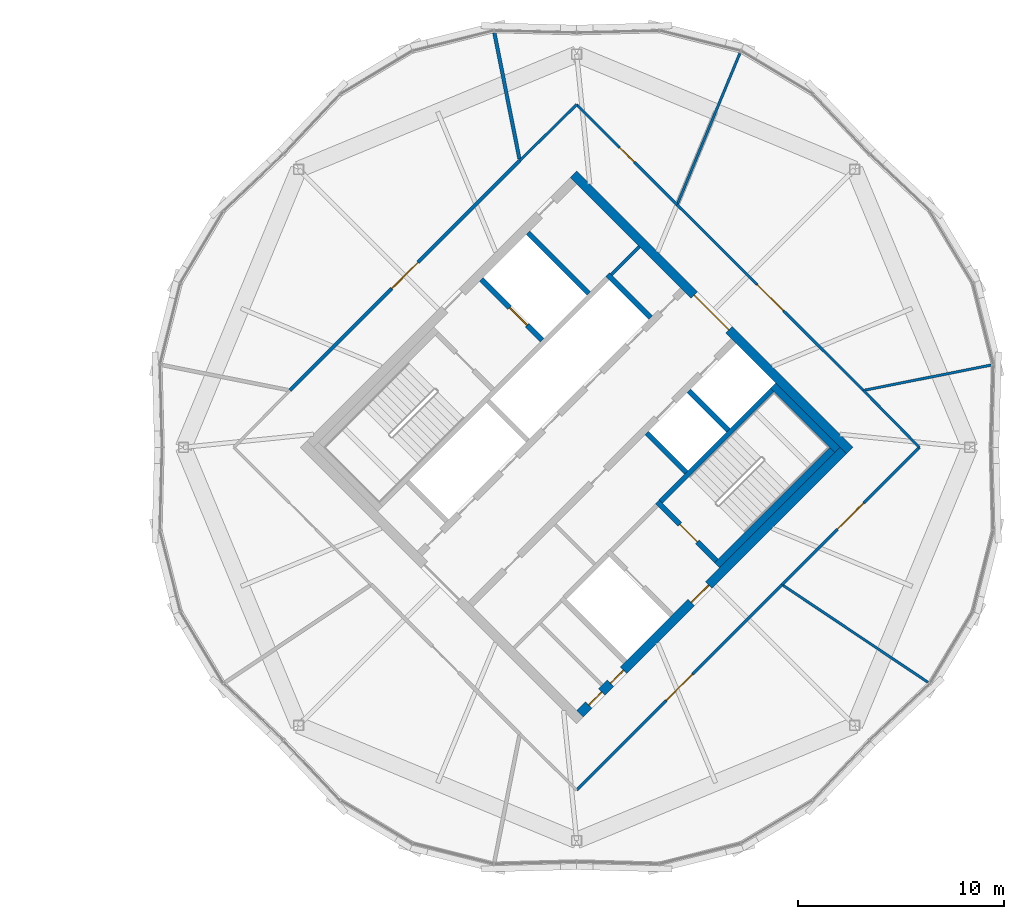
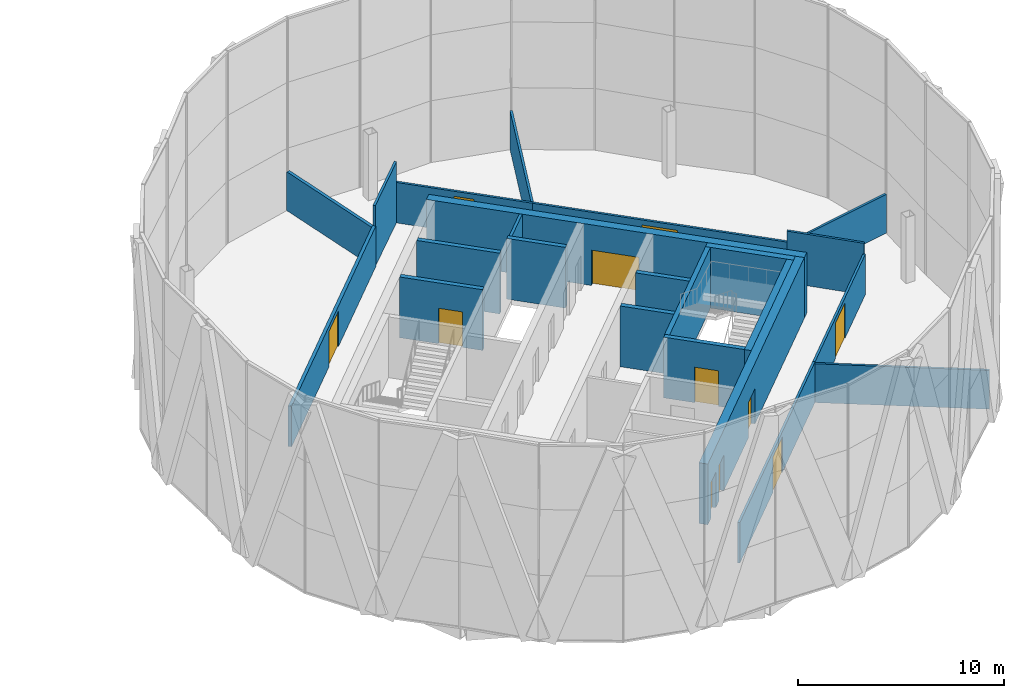
# One storey, part 19 of 22: 23 walls, 11 doors, 11 openings.
"""IFC4 building model written with IfcOpenShell, lengths in metres."""

from ifc_helpers import new_model, si_unit, direction, frame, frame_2d, origin, place, context, subcontext, project, spatial, rectangle, extrude, material, layer, layer_set, type_object, element, fill, save


model = new_model("IFC4")

# Units and contexts
model_context = context("Model", 3, precision=1e-05, world=origin(), true_north=direction((0.0, 1.0)))
body_context = subcontext(model_context, "Body", "Model", "MODEL_VIEW")
ifc_project = project(units=[si_unit("LENGTHUNIT", "METRE"), si_unit("AREAUNIT", "SQUARE_METRE"), si_unit("VOLUMEUNIT", "CUBIC_METRE"), si_unit("PLANEANGLEUNIT", "RADIAN"), si_unit("MASSUNIT", "GRAM", prefix="KILO")], contexts=[model_context])

# Site, building, storey
site_placement = place(None, origin())
site = spatial("IfcSite", under=ifc_project, at=site_placement, CompositionType="ELEMENT")
building_placement = place(site_placement, origin())
building = spatial("IfcBuilding", under=site, at=building_placement, Name="Ogive Gate Towers", CompositionType="ELEMENT")
storey_placement = place(building_placement, frame((0.0, 0.0, 228.89990234375)))
storey = spatial("IfcBuildingStorey", under=building, at=storey_placement, Name="L54", CompositionType="ELEMENT", Elevation=228.89990234375)

# Wall
ifc_material_1 = material(Name="Gypsum board acoustic partition")
ifc_layer_1 = layer(ifc_material_1, 0.175048828125)
ifc_layer_set_1 = layer_set([ifc_layer_1], Name="Acoustic partition 175")
wall_type_1 = type_object("IfcWallType", Name="Acoustic partition 175", PredefinedType="PARTITIONING", material=ifc_layer_set_1)
wall_1_placement = place(storey_placement, frame((31.99951171875, 20.156494140625, 0.0), z_axis=(0.0, 0.0, 1.0), x_axis=(0.194674004702, -0.98086799922, 0.0)))
element("IfcWall", 1, at=wall_1_placement, inside=storey, type_object=wall_type_1, Name="Partition T2-L54-003", PredefinedType="PARTITIONING", context=body_context, shape_type="SweptSolid", body=[
    extrude(rectangle(XDim=6.251708984375, YDim=0.175048828125, at=frame_2d((3.1259765625, 0.0))), origin(), (0.0, 0.0, 1.0), 2.300048828125),
])

# Wall, opening, door
wall_2_placement = place(storey_placement, frame((33.233642578125, 13.938720703125, 0.0), z_axis=(0.0, 0.0, 1.0), x_axis=(-0.707106781187, -0.707106781187, 0.0)))
wall_2 = element("IfcWall", 2, at=wall_2_placement, inside=storey, type_object=wall_type_1, Name="Partition T2-L54-018", PredefinedType="PARTITIONING", context=body_context, shape_type="SweptSolid", body=[
    extrude(rectangle(XDim=15.800048828125, YDim=0.175048828125, at=frame_2d((7.89990234375, 0.0))), origin(), (0.0, 0.0, 1.0), 2.400146484375),
])
opening_1_placement = place(wall_2_placement, frame((7.0, 0.0, 0.0)))
opening_1 = element("IfcOpeningElement", 3, at=opening_1_placement, cuts=wall_2, Name="Opening T2-L54-D07", PredefinedType="OPENING", context=body_context, shape_type="SweptSolid", body=[
    extrude(rectangle(XDim=1.800048828125, YDim=2.10009765625, at=frame_2d((0.89990234375, 1.050048828125))), frame((0.0, 0.09765625, 0.0), z_axis=(0.0, -1.0, 0.0), x_axis=(1.0, 0.0, 0.0)), (0.0, 0.0, 1.0), 0.195068359375),
])
ifc_material_2 = material(Name="Timber door", Category="wood")
door_type_1 = type_object("IfcDoorType", Name="Door pair 1800", OperationType="NOTDEFINED", PredefinedType="DOOR", material=ifc_material_2)
door_1_placement = place(opening_1_placement, origin())
door_1 = element("IfcDoor", 4, at=door_1_placement, inside=storey, type_object=door_type_1, Name="Door T2-L54-D07", OperationType="DOUBLE_DOOR_DOUBLE_SWING", OverallHeight=2.10009765625, OverallWidth=1.800048828125, PredefinedType="DOOR", context=body_context, shape_type="SweptSolid", body=[
    extrude(rectangle(XDim=1.800048828125, YDim=2.10009765625, at=frame_2d((0.89990234375, 1.050048828125))), frame((0.0, 0.02490234375, 0.0), z_axis=(0.0, -1.0, 0.0), x_axis=(1.0, 0.0, 0.0)), (0.0, 0.0, 1.0), 0.050048828125),
])
fill(opening_1, door_1)

# Wall, openings, doors
ifc_material_3 = material(Name="Concrete C60/75", Category="concrete")
ifc_layer_2 = layer(ifc_material_3, 0.449951171875)
ifc_layer_set_2 = layer_set([ifc_layer_2], Name="Core wall 450 mm")
wall_type_2 = type_object("IfcWallType", Name="Core wall 450 mm", PredefinedType="SHEAR", material=ifc_layer_set_2)
wall_3_placement = place(storey_placement, frame((36.1591796875, -12.957763671875, 0.0), z_axis=(0.0, 0.0, 1.0), x_axis=(0.707106781187, 0.707106781187, 0.0)))
wall_3 = element("IfcWall", 5, at=wall_3_placement, inside=storey, type_object=wall_type_2, Name="T2 L54 Core wall 450 mm", PredefinedType="SHEAR", context=body_context, shape_type="SweptSolid", body=[
    extrude(rectangle(XDim=18.099853515625, YDim=0.449951171875, at=frame_2d((9.0498046875, 0.0))), origin(), (0.0, 0.0, 1.0), 3.60009765625),
])
opening_2_placement = place(wall_3_placement, frame((7.64990234375, 0.0, 0.0)))
opening_2 = element("IfcOpeningElement", 6, at=opening_2_placement, cuts=wall_3, Name="Opening KD-T2-L54-19", PredefinedType="OPENING", context=body_context, shape_type="SweptSolid", body=[
    extrude(rectangle(XDim=1.199951171875, YDim=2.10009765625, at=frame_2d((0.60009765625, 1.050048828125))), frame((0.0, 0.23486328125, 0.0), z_axis=(0.0, -1.0, 0.0), x_axis=(1.0, 0.0, 0.0)), (0.0, 0.0, 1.0), 0.469970703125),
])
opening_3_placement = place(wall_3_placement, frame((0.60009765625, 0.0, 0.0)))
opening_3 = element("IfcOpeningElement", 7, at=opening_3_placement, cuts=wall_3, Name="Opening KD-T2-L54-21", PredefinedType="OPENING", context=body_context, shape_type="SweptSolid", body=[
    extrude(rectangle(XDim=0.89990234375, YDim=2.10009765625, at=frame_2d((0.449951171875, 1.050048828125))), frame((0.0, 0.23486328125, 0.0), z_axis=(0.0, -1.0, 0.0), x_axis=(1.0, 0.0, 0.0)), (0.0, 0.0, 1.0), 0.469970703125),
])
opening_4_placement = place(wall_3_placement, frame((2.10009765625, 0.0, 0.0)))
opening_4 = element("IfcOpeningElement", 8, at=opening_4_placement, cuts=wall_3, Name="Opening KD-T2-L54-22", PredefinedType="OPENING", context=body_context, shape_type="SweptSolid", body=[
    extrude(rectangle(XDim=0.89990234375, YDim=2.10009765625, at=frame_2d((0.449951171875, 1.050048828125))), frame((0.0, 0.23486328125, 0.0), z_axis=(0.0, -1.0, 0.0), x_axis=(1.0, 0.0, 0.0)), (0.0, 0.0, 1.0), 0.469970703125),
])
door_type_2 = type_object("IfcDoorType", Name="Core WC door 900 x 2100", OperationType="NOTDEFINED", PredefinedType="DOOR", material=ifc_material_2)
door_2_placement = place(opening_3_placement, origin())
door_2 = element("IfcDoor", 9, at=door_2_placement, inside=storey, type_object=door_type_2, Name="T2 L54 Core door", OperationType="SINGLE_SWING_RIGHT", OverallHeight=2.10009765625, OverallWidth=0.89990234375, PredefinedType="DOOR", context=body_context, shape_type="SweptSolid", body=[
    extrude(rectangle(XDim=0.89990234375, YDim=2.10009765625, at=frame_2d((0.449951171875, 1.050048828125))), frame((0.0, 0.02490234375, 0.0), z_axis=(0.0, -1.0, 0.0), x_axis=(1.0, 0.0, 0.0)), (0.0, 0.0, 1.0), 0.050048828125),
])
fill(opening_3, door_2)
door_3_placement = place(opening_4_placement, origin())
door_3 = element("IfcDoor", 10, at=door_3_placement, inside=storey, type_object=door_type_2, Name="T2 L54 Core door", OperationType="SINGLE_SWING_LEFT", OverallHeight=2.10009765625, OverallWidth=0.89990234375, PredefinedType="DOOR", context=body_context, shape_type="SweptSolid", body=[
    extrude(rectangle(XDim=0.89990234375, YDim=2.10009765625, at=frame_2d((0.449951171875, 1.050048828125))), frame((0.0, 0.02490234375, 0.0), z_axis=(0.0, -1.0, 0.0), x_axis=(1.0, 0.0, 0.0)), (0.0, 0.0, 1.0), 0.050048828125),
])
fill(opening_4, door_3)
ifc_material_4 = material(Name="Steel fire door", Category="steel")
door_type_3 = type_object("IfcDoorType", Name="Core door FD60S 1200 x 2100", OperationType="NOTDEFINED", PredefinedType="DOOR", material=ifc_material_4)
door_4_placement = place(opening_2_placement, origin())
door_4 = element("IfcDoor", 11, at=door_4_placement, inside=storey, type_object=door_type_3, Name="T2 L54 Fire-fighting lobby door", OperationType="SINGLE_SWING_RIGHT", OverallHeight=2.10009765625, OverallWidth=1.199951171875, PredefinedType="DOOR", context=body_context, shape_type="SweptSolid", body=[
    extrude(rectangle(XDim=1.199951171875, YDim=2.10009765625, at=frame_2d((0.60009765625, 1.050048828125))), frame((0.0, 0.02490234375, 0.0), z_axis=(0.0, -1.0, 0.0), x_axis=(1.0, 0.0, 0.0)), (0.0, 0.0, 1.0), 0.050048828125),
])
fill(opening_2, door_4)

# Wall, opening, door
wall_4_placement = place(storey_placement, frame((49.27587890625, -0.1591796875, 0.0), z_axis=(0.0, 0.0, 1.0), x_axis=(-0.707106781187, 0.707106781187, 0.0)))
wall_4 = element("IfcWall", 12, at=wall_4_placement, inside=storey, type_object=wall_type_2, Name="T2 L54 Core wall 450 mm", PredefinedType="SHEAR", context=body_context, shape_type="SweptSolid", body=[
    extrude(rectangle(XDim=19.0, YDim=0.449951171875, at=frame_2d((9.5, 0.0))), origin(), (0.0, 0.0, 1.0), 3.60009765625),
])
opening_5_placement = place(wall_4_placement, frame((8.300048828125, 0.0, 0.0)))
opening_5 = element("IfcOpeningElement", 13, at=opening_5_placement, cuts=wall_4, Name="Opening KD-T2-L54-02", PredefinedType="OPENING", context=body_context, shape_type="SweptSolid", body=[
    extrude(rectangle(XDim=2.39990234375, YDim=2.10009765625, at=frame_2d((1.199951171875, 1.050048828125))), frame((0.0, 0.23486328125, 0.0), z_axis=(0.0, -1.0, 0.0), x_axis=(1.0, 0.0, 0.0)), (0.0, 0.0, 1.0), 0.469970703125),
])
door_type_4 = type_object("IfcDoorType", Name="Core double door FD60S 2400 x 2100", OperationType="DOUBLE_DOOR_SINGLE_SWING", PredefinedType="DOOR", material=ifc_material_4)
door_5_placement = place(opening_5_placement, origin())
door_5 = element("IfcDoor", 14, at=door_5_placement, inside=storey, type_object=door_type_4, Name="T2 L54 Core door double", OperationType="DOUBLE_DOOR_SINGLE_SWING", OverallHeight=2.10009765625, OverallWidth=2.39990234375, PredefinedType="DOOR", context=body_context, shape_type="SweptSolid", body=[
    extrude(rectangle(XDim=2.39990234375, YDim=2.10009765625, at=frame_2d((1.199951171875, 1.050048828125))), frame((0.0, 0.02490234375, 0.0), z_axis=(0.0, -1.0, 0.0), x_axis=(1.0, 0.0, 0.0)), (0.0, 0.0, 1.0), 0.050048828125),
])
fill(opening_5, door_5)

# Walls
ifc_material_5 = material(Name="Gypsum board partition")
ifc_layer_3 = layer(ifc_material_5, 0.125)
ifc_layer_set_3 = layer_set([ifc_layer_3], Name="Partition 125")
wall_type_3 = type_object("IfcWallType", Name="Partition 125", PredefinedType="PARTITIONING", material=ifc_layer_set_3)
wall_5_placement = place(storey_placement, frame((56.156494140625, 4.00048828125, 0.0), z_axis=(0.0, 0.0, 1.0), x_axis=(-0.980866863673, -0.194679726085, 0.0)))
element("IfcWall", 15, at=wall_5_placement, inside=storey, type_object=wall_type_3, Name="Partition T2-L54-001", PredefinedType="PARTITIONING", context=body_context, shape_type="SweptSolid", body=[
    extrude(rectangle(XDim=6.276611328125, YDim=0.125, at=frame_2d((3.13818359375, 0.0))), origin(), (0.0, 0.0, 1.0), 2.300048828125),
])
wall_6_placement = place(storey_placement, frame((43.940673828125, 19.170654296875, 0.0), z_axis=(0.0, 0.0, 1.0), x_axis=(-0.382663714517, -0.923887699665, 0.0)))
element("IfcWall", 16, at=wall_6_placement, inside=storey, type_object=wall_type_3, Name="Partition T2-L54-002", PredefinedType="PARTITIONING", context=body_context, shape_type="SweptSolid", body=[
    extrude(rectangle(XDim=7.926513671875, YDim=0.125, at=frame_2d((3.96337890625, 0.0))), origin(), (0.0, 0.0, 1.0), 2.300048828125),
])
wall_7_placement = place(storey_placement, frame((53.081298828125, -11.424072265625, 0.0), z_axis=(0.0, 0.0, 1.0), x_axis=(-0.831225196117, 0.555935853619, 0.0)))
element("IfcWall", 17, at=wall_7_placement, inside=storey, type_object=wall_type_3, Name="Partition T2-L54-007", PredefinedType="PARTITIONING", context=body_context, shape_type="SweptSolid", body=[
    extrude(rectangle(XDim=8.4765625, YDim=0.125, at=frame_2d((4.23828125, 0.0))), origin(), (0.0, 0.0, 1.0), 2.300048828125),
])

# Wall, opening, door
wall_8_placement = place(storey_placement, frame((36.0, -16.659423828125, 0.0), z_axis=(0.0, 0.0, 1.0), x_axis=(0.707141366146, 0.707072194536, 0.0)))
wall_8 = element("IfcWall", 18, at=wall_8_placement, inside=storey, type_object=wall_type_3, Name="Partition T2-L54-011", PredefinedType="PARTITIONING", context=body_context, shape_type="SweptSolid", body=[
    extrude(rectangle(XDim=14.117919921875, YDim=0.125, at=frame_2d((7.05908203125, 0.0))), origin(), (0.0, 0.0, 1.0), 2.400146484375),
])
opening_6_placement = place(wall_8_placement, frame((6.158935546875, 0.0, 0.0)))
opening_6 = element("IfcOpeningElement", 19, at=opening_6_placement, cuts=wall_8, Name="Opening T2-L54-D03", PredefinedType="OPENING", context=body_context, shape_type="SweptSolid", body=[
    extrude(rectangle(XDim=1.800048828125, YDim=2.10009765625, at=frame_2d((0.89990234375, 1.050048828125))), frame((0.0, 0.072509765625, 0.0), z_axis=(0.0, -1.0, 0.0), x_axis=(1.0, 0.0, 0.0)), (0.0, 0.0, 1.0), 0.14501953125),
])
door_6_placement = place(opening_6_placement, origin())
door_6 = element("IfcDoor", 20, at=door_6_placement, inside=storey, type_object=door_type_1, Name="Door T2-L54-D03", OperationType="DOUBLE_DOOR_DOUBLE_SWING", OverallHeight=2.10009765625, OverallWidth=1.800048828125, PredefinedType="DOOR", context=body_context, shape_type="SweptSolid", body=[
    extrude(rectangle(XDim=1.800048828125, YDim=2.10009765625, at=frame_2d((0.89990234375, 1.050048828125))), frame((0.0, 0.02490234375, 0.0), z_axis=(0.0, -1.0, 0.0), x_axis=(1.0, 0.0, 0.0)), (0.0, 0.0, 1.0), 0.050048828125),
])
fill(opening_6, door_6)

wall_9_placement = place(storey_placement, frame((45.9833984375, -6.677001953125, 0.0), z_axis=(0.0, 0.0, 1.0), x_axis=(0.707055065632, 0.707158492959, 0.0)))
wall_9 = element("IfcWall", 21, at=wall_9_placement, inside=storey, type_object=wall_type_3, Name="Partition T2-L54-013", PredefinedType="PARTITIONING", context=body_context, shape_type="SweptSolid", body=[
    extrude(rectangle(XDim=9.44189453125, YDim=0.125, at=frame_2d((4.720947265625, 0.0))), origin(), (0.0, 0.0, 1.0), 2.400146484375),
])
opening_7_placement = place(wall_9_placement, frame((3.821044921875, 0.0, 0.0)))
opening_7 = element("IfcOpeningElement", 22, at=opening_7_placement, cuts=wall_9, Name="Opening T2-L54-D04", PredefinedType="OPENING", context=body_context, shape_type="SweptSolid", body=[
    extrude(rectangle(XDim=1.800048828125, YDim=2.10009765625, at=frame_2d((0.89990234375, 1.050048828125))), frame((0.0, 0.072509765625, 0.0), z_axis=(0.0, -1.0, 0.0), x_axis=(1.0, 0.0, 0.0)), (0.0, 0.0, 1.0), 0.14501953125),
])
door_7_placement = place(opening_7_placement, origin())
door_7 = element("IfcDoor", 23, at=door_7_placement, inside=storey, type_object=door_type_1, Name="Door T2-L54-D04", OperationType="DOUBLE_DOOR_DOUBLE_SWING", OverallHeight=2.10009765625, OverallWidth=1.800048828125, PredefinedType="DOOR", context=body_context, shape_type="SweptSolid", body=[
    extrude(rectangle(XDim=1.800048828125, YDim=2.10009765625, at=frame_2d((0.89990234375, 1.050048828125))), frame((0.0, 0.02490234375, 0.0), z_axis=(0.0, -1.0, 0.0), x_axis=(1.0, 0.0, 0.0)), (0.0, 0.0, 1.0), 0.050048828125),
])
fill(opening_7, door_7)

# Wall
wall_10_placement = place(storey_placement, frame((52.659423828125, 0.0, 0.0), z_axis=(0.0, 0.0, 1.0), x_axis=(-0.701199130072, 0.712965483026, 0.0)))
element("IfcWall", 24, at=wall_10_placement, inside=storey, type_object=wall_type_3, Name="Partition T2-L54-014", PredefinedType="PARTITIONING", context=body_context, shape_type="SweptSolid", body=[
    extrude(rectangle(XDim=3.880126953125, YDim=0.125, at=frame_2d((1.93994140625, 0.0))), origin(), (0.0, 0.0, 1.0), 3.050048828125),
])

# Wall, opening, door
wall_11_placement = place(storey_placement, frame((49.938720703125, 2.766357421875, 0.0), z_axis=(0.0, 0.0, 1.0), x_axis=(-0.708347065463, 0.705864317592, 0.0)))
wall_11 = element("IfcWall", 25, at=wall_11_placement, inside=storey, type_object=wall_type_3, Name="Partition T2-L54-015", PredefinedType="PARTITIONING", context=body_context, shape_type="SweptSolid", body=[
    extrude(rectangle(XDim=12.783447265625, YDim=0.125, at=frame_2d((6.3916015625, 0.0))), origin(), (0.0, 0.0, 1.0), 2.400146484375),
])
opening_8_placement = place(wall_11_placement, frame((5.491943359375, 0.0, 0.0)))
opening_8 = element("IfcOpeningElement", 26, at=opening_8_placement, cuts=wall_11, Name="Opening T2-L54-D05", PredefinedType="OPENING", context=body_context, shape_type="SweptSolid", body=[
    extrude(rectangle(XDim=1.800048828125, YDim=2.10009765625, at=frame_2d((0.89990234375, 1.050048828125))), frame((0.0, 0.072509765625, 0.0), z_axis=(0.0, -1.0, 0.0), x_axis=(1.0, 0.0, 0.0)), (0.0, 0.0, 1.0), 0.14501953125),
])
door_8_placement = place(opening_8_placement, origin())
door_8 = element("IfcDoor", 27, at=door_8_placement, inside=storey, type_object=door_type_1, Name="Door T2-L54-D05", OperationType="DOUBLE_DOOR_DOUBLE_SWING", OverallHeight=2.10009765625, OverallWidth=1.800048828125, PredefinedType="DOOR", context=body_context, shape_type="SweptSolid", body=[
    extrude(rectangle(XDim=1.800048828125, YDim=2.10009765625, at=frame_2d((0.89990234375, 1.050048828125))), frame((0.0, 0.02490234375, 0.0), z_axis=(0.0, -1.0, 0.0), x_axis=(1.0, 0.0, 0.0)), (0.0, 0.0, 1.0), 0.050048828125),
])
fill(opening_8, door_8)

wall_12_placement = place(storey_placement, frame((40.883544921875, 11.789794921875, 0.0), z_axis=(0.0, 0.0, 1.0), x_axis=(-0.70811497392, 0.706097148918, 0.0)))
wall_12 = element("IfcWall", 28, at=wall_12_placement, inside=storey, type_object=wall_type_3, Name="Partition T2-L54-016", PredefinedType="PARTITIONING", context=body_context, shape_type="SweptSolid", body=[
    extrude(rectangle(XDim=6.896484375, YDim=0.125, at=frame_2d((3.4482421875, 0.0))), origin(), (0.0, 0.0, 1.0), 2.400146484375),
])
opening_9_placement = place(wall_12_placement, frame((2.947998046875, 0.0, 0.0)))
opening_9 = element("IfcOpeningElement", 29, at=opening_9_placement, cuts=wall_12, Name="Opening T2-L54-D06", PredefinedType="OPENING", context=body_context, shape_type="SweptSolid", body=[
    extrude(rectangle(XDim=1.0, YDim=2.10009765625, at=frame_2d((0.5, 1.050048828125))), frame((0.0, 0.072509765625, 0.0), z_axis=(0.0, -1.0, 0.0), x_axis=(1.0, 0.0, 0.0)), (0.0, 0.0, 1.0), 0.14501953125),
])
door_type_5 = type_object("IfcDoorType", Name="Door 1000", OperationType="NOTDEFINED", PredefinedType="DOOR", material=ifc_material_2)
door_9_placement = place(opening_9_placement, origin())
door_9 = element("IfcDoor", 30, at=door_9_placement, inside=storey, type_object=door_type_5, Name="Door T2-L54-D06", OperationType="SINGLE_SWING_RIGHT", OverallHeight=2.10009765625, OverallWidth=1.0, PredefinedType="DOOR", context=body_context, shape_type="SweptSolid", body=[
    extrude(rectangle(XDim=1.0, YDim=2.10009765625, at=frame_2d((0.5, 1.050048828125))), frame((0.0, 0.02490234375, 0.0), z_axis=(0.0, -1.0, 0.0), x_axis=(1.0, 0.0, 0.0)), (0.0, 0.0, 1.0), 0.050048828125),
])
fill(opening_9, door_9)

# Walls
wall_13_placement = place(storey_placement, frame((36.0, 16.659423828125, 0.0), z_axis=(0.0, 0.0, 1.0), x_axis=(-0.712965483026, -0.701199130072, 0.0)))
element("IfcWall", 31, at=wall_13_placement, inside=storey, type_object=wall_type_3, Name="Partition T2-L54-017", PredefinedType="PARTITIONING", context=body_context, shape_type="SweptSolid", body=[
    extrude(rectangle(XDim=3.880126953125, YDim=0.125, at=frame_2d((1.93994140625, 0.0))), origin(), (0.0, 0.0, 1.0), 3.60009765625),
])
ifc_layer_4 = layer(ifc_material_5, 0.14990234375)
ifc_layer_set_4 = layer_set([ifc_layer_4], Name="Room partition 150 mm")
wall_type_4 = type_object("IfcWallType", Name="Room partition 150 mm", PredefinedType="PARTITIONING", material=ifc_layer_set_4)
wall_14_placement = place(storey_placement, frame((37.679443359375, 8.39697265625, 0.0), z_axis=(0.0, 0.0, 1.0), x_axis=(0.707106781187, 0.707106781187, 0.0)))
element("IfcWall", 32, at=wall_14_placement, inside=storey, type_object=wall_type_4, Name="T2 L54 Room partition 150 mm", PredefinedType="PARTITIONING", context=body_context, shape_type="SweptSolid", body=[
    extrude(rectangle(XDim=1.9248046875, YDim=0.14990234375, at=frame_2d((0.96240234375, 0.0))), origin(), (0.0, 0.0, 1.0), 3.60009765625),
])
ifc_layer_5 = layer(ifc_material_3, 0.25)
ifc_layer_set_5 = layer_set([ifc_layer_5], Name="Shaft wall 250 mm")
wall_type_5 = type_object("IfcWallType", Name="Shaft wall 250 mm", PredefinedType="SHEAR", material=ifc_layer_set_5)
wall_15_placement = place(storey_placement, frame((40.08349609375, -2.634033203125, 0.0), z_axis=(0.0, 0.0, 1.0), x_axis=(0.707090876314, 0.707122685701, 0.0)))
element("IfcWall", 33, at=wall_15_placement, inside=storey, type_object=wall_type_5, Name="T2 L54 Shaft wall 250 mm", PredefinedType="SHEAR", context=body_context, shape_type="SweptSolid", body=[
    extrude(rectangle(XDim=7.675048828125, YDim=0.25, at=frame_2d((3.83740234375, 0.0))), origin(), (0.0, 0.0, 1.0), 3.60009765625),
])

# Wall, opening, door
wall_16_placement = place(storey_placement, frame((42.7880859375, -5.515380859375, 0.0), z_axis=(0.0, 0.0, 1.0), x_axis=(-0.707106781187, 0.707106781187, 0.0)))
wall_16 = element("IfcWall", 34, at=wall_16_placement, inside=storey, type_object=wall_type_5, Name="T2 L54 Shaft wall 250 mm", PredefinedType="SHEAR", context=body_context, shape_type="SweptSolid", body=[
    extrude(rectangle(XDim=4.050048828125, YDim=0.25, at=frame_2d((2.02490234375, 0.0))), origin(), (0.0, 0.0, 1.0), 3.60009765625),
])
opening_10_placement = place(wall_16_placement, frame((1.300048828125, 0.0, 0.0)))
opening_10 = element("IfcOpeningElement", 35, at=opening_10_placement, cuts=wall_16, Name="Opening KD-T2-L54-17", PredefinedType="OPENING", context=body_context, shape_type="SweptSolid", body=[
    extrude(rectangle(XDim=1.199951171875, YDim=2.10009765625, at=frame_2d((0.60009765625, 1.050048828125))), frame((0.0, 0.135009765625, 0.0), z_axis=(0.0, -1.0, 0.0), x_axis=(1.0, 0.0, 0.0)), (0.0, 0.0, 1.0), 0.27001953125),
])
door_10_placement = place(opening_10_placement, origin())
door_10 = element("IfcDoor", 36, at=door_10_placement, inside=storey, type_object=door_type_3, Name="T2 L54 Stair door", OperationType="SINGLE_SWING_RIGHT", OverallHeight=2.10009765625, OverallWidth=1.199951171875, PredefinedType="DOOR", context=body_context, shape_type="SweptSolid", body=[
    extrude(rectangle(XDim=1.199951171875, YDim=2.10009765625, at=frame_2d((0.60009765625, 1.050048828125))), frame((0.0, 0.02490234375, 0.0), z_axis=(0.0, -1.0, 0.0), x_axis=(1.0, 0.0, 0.0)), (0.0, 0.0, 1.0), 0.050048828125),
])
fill(opening_10, door_10)

wall_17_placement = place(storey_placement, frame((34.320556640625, 5.21484375, 0.0), z_axis=(0.0, 0.0, 1.0), x_axis=(-0.707106781187, 0.707106781187, 0.0)))
wall_17 = element("IfcWall", 37, at=wall_17_placement, inside=storey, type_object=wall_type_5, Name="T2 L54 Shaft wall 250 mm", PredefinedType="SHEAR", context=body_context, shape_type="SweptSolid", body=[
    extrude(rectangle(XDim=4.175048828125, YDim=0.25, at=frame_2d((2.08740234375, 0.0))), origin(), (0.0, 0.0, 1.0), 3.60009765625),
])
opening_11_placement = place(wall_17_placement, frame((1.02490234375, 0.0, 0.0)))
opening_11 = element("IfcOpeningElement", 38, at=opening_11_placement, cuts=wall_17, Name="Opening LD-T2-L54-12", PredefinedType="OPENING", context=body_context, shape_type="SweptSolid", body=[
    extrude(rectangle(XDim=1.199951171875, YDim=2.10009765625, at=frame_2d((0.60009765625, 1.050048828125))), frame((0.0, 0.135009765625, 0.0), z_axis=(0.0, -1.0, 0.0), x_axis=(1.0, 0.0, 0.0)), (0.0, 0.0, 1.0), 0.27001953125),
])
ifc_material_6 = material(Name="Stainless steel landing door", Category="steel")
door_type_6 = type_object("IfcDoorType", Name="Landing door 1200 x 2100", OperationType="SLIDING_TO_LEFT", PredefinedType="DOOR", material=ifc_material_6)
door_11_placement = place(opening_11_placement, origin())
door_11 = element("IfcDoor", 39, at=door_11_placement, inside=storey, type_object=door_type_6, Name="T2 L54 Lift landing door FF1", OperationType="SLIDING_TO_LEFT", OverallHeight=2.10009765625, OverallWidth=1.199951171875, PredefinedType="DOOR", context=body_context, shape_type="SweptSolid", body=[
    extrude(rectangle(XDim=1.199951171875, YDim=2.10009765625, at=frame_2d((0.60009765625, 1.050048828125))), frame((0.0, 0.02490234375, 0.0), z_axis=(0.0, -1.0, 0.0), x_axis=(1.0, 0.0, 0.0)), (0.0, 0.0, 1.0), 0.050048828125),
])
fill(opening_11, door_11)

# Walls
wall_18_placement = place(storey_placement, frame((41.321044921875, -1.2197265625, 0.0), z_axis=(0.0, 0.0, 1.0), x_axis=(-0.707106781187, 0.707106781187, 0.0)))
element("IfcWall", 40, at=wall_18_placement, inside=storey, type_object=wall_type_5, Name="T2 L54 Shaft wall 250 mm", PredefinedType="SHEAR", context=body_context, shape_type="SweptSolid", body=[
    extrude(rectangle(XDim=2.699951171875, YDim=0.25, at=frame_2d((1.35009765625, 0.0))), origin(), (0.0, 0.0, 1.0), 3.60009765625),
])
wall_19_placement = place(storey_placement, frame((36.58349609375, 7.477783203125, 0.0), z_axis=(0.0, 0.0, 1.0), x_axis=(-0.707165256008, 0.707048301529, 0.0)))
element("IfcWall", 41, at=wall_19_placement, inside=storey, type_object=wall_type_5, Name="T2 L54 Shaft wall 250 mm", PredefinedType="SHEAR", context=body_context, shape_type="SweptSolid", body=[
    extrude(rectangle(XDim=4.175048828125, YDim=0.25, at=frame_2d((2.08740234375, 0.0))), origin(), (0.0, 0.0, 1.0), 3.60009765625),
])
wall_20_placement = place(storey_placement, frame((43.37158203125, 0.830810546875, 0.0), z_axis=(0.0, 0.0, 1.0), x_axis=(-0.707106781187, 0.707106781187, 0.0)))
element("IfcWall", 42, at=wall_20_placement, inside=storey, type_object=wall_type_5, Name="T2 L54 Shaft wall 250 mm", PredefinedType="SHEAR", context=body_context, shape_type="SweptSolid", body=[
    extrude(rectangle(XDim=2.699951171875, YDim=0.25, at=frame_2d((1.35009765625, 0.0))), origin(), (0.0, 0.0, 1.0), 3.60009765625),
])
wall_21_placement = place(storey_placement, frame((39.588623046875, 6.310791015625, 0.0), z_axis=(0.0, 0.0, 1.0), x_axis=(-0.707065402085, 0.707148157867, 0.0)))
element("IfcWall", 43, at=wall_21_placement, inside=storey, type_object=wall_type_5, Name="T2 L54 Shaft wall 250 mm", PredefinedType="SHEAR", context=body_context, shape_type="SweptSolid", body=[
    extrude(rectangle(XDim=2.9501953125, YDim=0.25, at=frame_2d((1.47509765625, 0.0))), origin(), (0.0, 0.0, 1.0), 3.60009765625),
])
ifc_layer_6 = layer(ifc_material_3, 0.35009765625)
ifc_layer_set_6 = layer_set([ifc_layer_6], Name="Stair wall 350 mm")
wall_type_6 = type_object("IfcWallType", Name="Stair wall 350 mm", PredefinedType="SHEAR", material=ifc_layer_set_6)
wall_22_placement = place(storey_placement, frame((42.823486328125, -5.7275390625, 0.0), z_axis=(0.0, 0.0, 1.0), x_axis=(0.707122184046, 0.707091377991, 0.0)))
element("IfcWall", 44, at=wall_22_placement, inside=storey, type_object=wall_type_6, Name="T2 L54 Stair wall 350 mm", PredefinedType="SHEAR", context=body_context, shape_type="SweptSolid", body=[
    extrude(rectangle(XDim=7.925048828125, YDim=0.35009765625, at=frame_2d((3.96240234375, 0.0))), origin(), (0.0, 0.0, 1.0), 3.60009765625),
])
wall_23_placement = place(storey_placement, frame((48.6748046875, -0.123779296875, 0.0), z_axis=(0.0, 0.0, 1.0), x_axis=(-0.707106781187, 0.707106781187, 0.0)))
element("IfcWall", 45, at=wall_23_placement, inside=storey, type_object=wall_type_6, Name="T2 L54 Stair wall 350 mm", PredefinedType="SHEAR", context=body_context, shape_type="SweptSolid", body=[
    extrude(rectangle(XDim=4.425048828125, YDim=0.35009765625, at=frame_2d((2.21240234375, 0.0))), origin(), (0.0, 0.0, 1.0), 3.60009765625),
])

save(model, "model.ifc")
